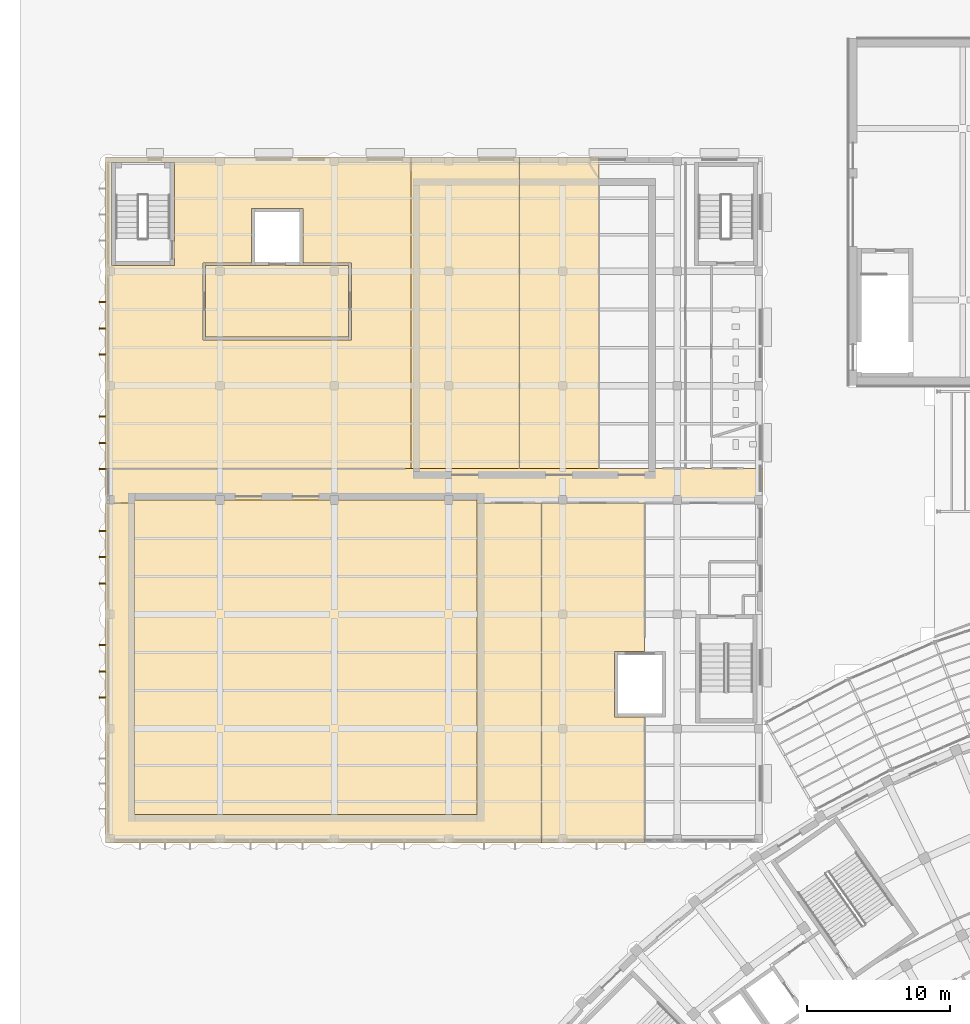
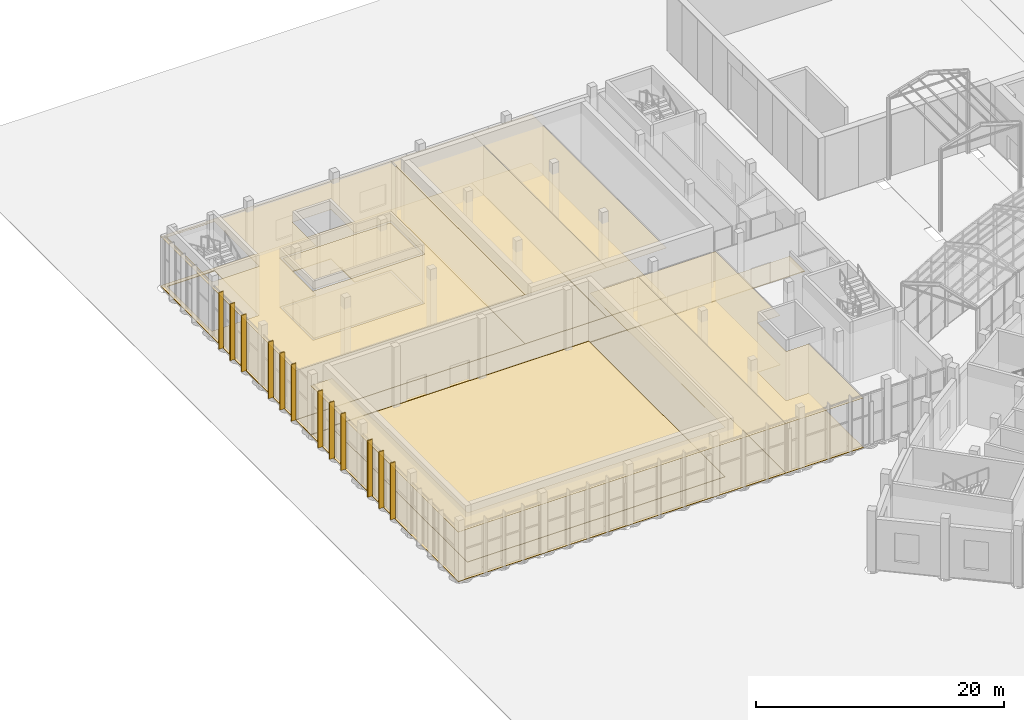
# One storey, part 127 of 155: 14 coverings, 12 shading devices.
"""IFC4 building model written with IfcOpenShell, lengths in metres."""

from ifc_helpers import new_model, si_unit, direction, frame, origin, origin_2d, place, context, subcontext, project, spatial, polyline, rectangle, outline, extrude, material, layer, layer_set, type_object, element, save


model = new_model("IFC4")

# Units and contexts
model_context = context("Model", 3, precision=1e-05, world=origin(), true_north=direction((0.0, 1.0)))
body_context = subcontext(model_context, "Body", "Model", "MODEL_VIEW")
ifc_project = project(units=[si_unit("LENGTHUNIT", "METRE"), si_unit("AREAUNIT", "SQUARE_METRE"), si_unit("VOLUMEUNIT", "CUBIC_METRE"), si_unit("PLANEANGLEUNIT", "RADIAN"), si_unit("MASSUNIT", "GRAM", prefix="KILO")], contexts=[model_context])

# Site, building, storey
site_placement = place(None, origin())
site = spatial("IfcSite", under=ifc_project, at=site_placement, CompositionType="ELEMENT")
building_placement = place(site_placement, origin())
building = spatial("IfcBuilding", under=site, at=building_placement, Name="Lunette Opera House", CompositionType="ELEMENT")
storey_placement = place(building_placement, origin())
storey = spatial("IfcBuildingStorey", under=building, at=storey_placement, Name="L00", CompositionType="ELEMENT", Elevation=0.0)

# Covering
ifc_material_1 = material(Name="Cement screed")
ifc_layer_1 = layer(ifc_material_1, 0.070068359375)
ifc_layer_set_1 = layer_set([ifc_layer_1], Name="Cement screed")
covering_type_1 = type_object("IfcCoveringType", Name="SCREED FLOOR FINISH 70", PredefinedType="FLOORING", material=ifc_layer_set_1)
covering_1_placement = place(storey_placement, origin())
element("IfcCovering", 1, at=covering_1_placement, inside=storey, type_object=covering_type_1, Name="Floor finish Corridor L00 Rehearsal", PredefinedType="FLOORING", context=body_context, shape_type="SweptSolid", body=[
    extrude(outline(polyline([(8.0, 90.199951171875), (54.0, 90.199951171875), (54.0, 87.800048828125), (34.0, 87.800048828125), (34.0, 88.0), (10.0, 88.0), (10.0, 87.800048828125), (8.0, 87.800048828125), (8.0, 90.199951171875)])), origin(), (0.0, 0.0, 1.0), 0.070068359375),
])

# Shading devices
ifc_material_2 = material(Name="Powder-coated aluminium", Category="aluminium")
shading_device_type = type_object("IfcShadingDeviceType", Name="SOLAR FIN 100 X 450", PredefinedType="USERDEFINED", material=ifc_material_2)
for number, where, z_axis, x_axis, name in (
    (2, (7.76708984375, 101.85498046875, 0.114501953125), (0.0, 0.0, 1.0), (-1.0, 0.0, 0.0), "Solar fin RW-X2002 1"),
    (3, (7.76708984375, 100.012939453125, 0.114501953125), (0.0, 0.0, 1.0), (-1.0, 0.0, 0.0), "Solar fin RW-X2002 2"),
    (4, (7.76708984375, 98.1708984375, 0.114501953125), (0.0, 0.0, 1.0), (-1.0, 0.0, 0.0), "Solar fin RW-X2002 3"),
    (5, (7.76708984375, 93.8349609375, 0.114501953125), (0.0, 0.0, 1.0), (-1.0, 0.0, 0.0), "Solar fin RW-X2003 1"),
    (6, (7.76708984375, 92.0, 0.114501953125), (0.0, 0.0, 1.0), (-1.0, 0.0, 0.0), "Solar fin RW-X2003 2"),
    (7, (7.76708984375, 90.1650390625, 0.114501953125), (0.0, 0.0, 1.0), (-1.0, 0.0, 0.0), "Solar fin RW-X2003 3"),
    (8, (7.76708984375, 85.8349609375, 0.114501953125), (0.0, 0.0, 1.0), (-1.0, 0.0, 0.0), "Solar fin RW-X2004 1"),
    (9, (7.76708984375, 84.0, 0.114501953125), (0.0, 0.0, 1.0), (-1.0, 0.0, 0.0), "Solar fin RW-X2004 2"),
    (10, (7.76708984375, 82.1650390625, 0.114501953125), (0.0, 0.0, 1.0), (-1.0, 0.0, 0.0), "Solar fin RW-X2004 3"),
    (11, (7.76708984375, 77.8349609375, 0.114501953125), (0.0, 0.0, 1.0), (-1.0, 0.0, 0.0), "Solar fin RW-X2005 1"),
    (12, (7.76708984375, 76.0, 0.114501953125), (0.0, 0.0, 1.0), (-1.0, 0.0, 0.0), "Solar fin RW-X2005 2"),
    (13, (7.76708984375, 74.1650390625, 0.114501953125), (0.0, 0.0, 1.0), (-1.0, 0.0, 0.0), "Solar fin RW-X2005 3"),
):
    element("IfcShadingDevice", number, at=place(storey_placement, frame(where, z_axis=z_axis, x_axis=x_axis)), inside=storey, type_object=shading_device_type, Name=name, ObjectType="SOLAR FIN", PredefinedType="USERDEFINED", context=body_context, shape_type="SweptSolid", body=[
        extrude(rectangle(XDim=0.449951171875, YDim=0.10009765625, at=origin_2d()), origin(), (0.0, 0.0, 1.0), 5.5849609375),
    ])

# Coverings
ifc_material_3 = material(Name="Mineral fibre board")
ifc_layer_2 = layer(ifc_material_3, 0.014892578125)
ifc_layer_set_2 = layer_set([ifc_layer_2], Name="Mineral fibre board")
covering_type_2 = type_object("IfcCoveringType", Name="SUSPENDED ACOUSTIC CEILING 15", PredefinedType="CEILING", material=ifc_layer_set_2)
covering_2_placement = place(storey_placement, frame((0.0, 0.0, 4.885009765625)))
element("IfcCovering", 14, at=covering_2_placement, inside=storey, type_object=covering_type_2, Name="Ceiling Lift Lobby L00 Rehearsal", PredefinedType="CEILING", context=body_context, shape_type="SweptSolid", body=[
    extrude(outline(polyline([(25.0, 99.39990234375), (25.0, 104.39990234375), (15.0, 104.39990234375), (15.0, 99.39990234375), (25.0, 99.39990234375)])), origin(), (0.0, 0.0, 1.0), 0.014892578125),
])
covering_3_placement = place(storey_placement, frame((0.0, 0.0, 4.885009765625)))
element("IfcCovering", 15, at=covering_3_placement, inside=storey, type_object=covering_type_2, Name="Ceiling Orchestra Rehearsal Hall", PredefinedType="CEILING", context=body_context, shape_type="SweptSolid", body=[
    extrude(outline(polyline([(8.0, 112.0), (29.35888671875, 112.0), (29.35888671875, 90.199951171875), (8.0, 90.199951171875), (8.0, 112.0)]), holes=[polyline([(14.800048828125, 99.199951171875), (25.199951171875, 99.199951171875), (25.199951171875, 104.60009765625), (21.800048828125, 104.60009765625), (21.800048828125, 108.39990234375), (18.199951171875, 108.39990234375), (18.199951171875, 104.60009765625), (14.800048828125, 104.60009765625), (14.800048828125, 99.199951171875)]), polyline([(8.39990234375, 104.39990234375), (12.800048828125, 104.39990234375), (12.800048828125, 111.635009765625), (8.39990234375, 111.635009765625), (8.39990234375, 104.39990234375)])]), origin(), (0.0, 0.0, 1.0), 0.014892578125),
])
covering_4_placement = place(storey_placement, frame((0.0, 0.0, 4.885009765625)))
element("IfcCovering", 16, at=covering_4_placement, inside=storey, type_object=covering_type_2, Name="Ceiling Chorus Rehearsal Room", PredefinedType="CEILING", context=body_context, shape_type="SweptSolid", body=[
    extrude(outline(polyline([(29.35888671875, 90.199951171875), (29.35888671875, 112.0), (36.947998046875, 112.0), (36.947998046875, 90.199951171875), (29.35888671875, 90.199951171875)])), origin(), (0.0, 0.0, 1.0), 0.014892578125),
])
covering_5_placement = place(storey_placement, frame((0.0, 0.0, 4.885009765625)))
element("IfcCovering", 17, at=covering_5_placement, inside=storey, type_object=covering_type_2, Name="Ceiling Rehearsal Foyer", PredefinedType="CEILING", context=body_context, shape_type="SweptSolid", body=[
    extrude(outline(polyline([(36.947998046875, 90.199951171875), (36.947998046875, 112.0), (42.512939453125, 112.0), (42.512939453125, 90.199951171875), (36.947998046875, 90.199951171875)])), origin(), (0.0, 0.0, 1.0), 0.014892578125),
])
covering_6_placement = place(storey_placement, frame((0.0, 0.0, 4.885009765625)))
element("IfcCovering", 18, at=covering_6_placement, inside=storey, type_object=covering_type_2, Name="Ceiling Ballet Studio 1", PredefinedType="CEILING", context=body_context, shape_type="SweptSolid", body=[
    extrude(outline(polyline([(8.0, 87.800048828125), (10.0, 87.800048828125), (10.0, 66.0), (34.0, 66.0), (34.0, 87.800048828125), (38.498046875, 87.800048828125), (38.498046875, 64.0), (8.0, 64.0), (8.0, 87.800048828125)])), origin(), (0.0, 0.0, 1.0), 0.014892578125),
])
covering_7_placement = place(storey_placement, frame((0.0, 0.0, 4.885009765625)))
element("IfcCovering", 19, at=covering_7_placement, inside=storey, type_object=covering_type_2, Name="Ceiling Principals' Dressing Rooms", PredefinedType="CEILING", context=body_context, shape_type="SweptSolid", body=[
    extrude(outline(polyline([(38.498046875, 64.0), (38.498046875, 87.800048828125), (45.718994140625, 87.800048828125), (45.718994140625, 77.39990234375), (43.60009765625, 77.39990234375), (43.60009765625, 72.800048828125), (45.718994140625, 72.800048828125), (45.718994140625, 64.0), (38.498046875, 64.0)])), origin(), (0.0, 0.0, 1.0), 0.014892578125),
])
ifc_material_4 = material(Name="Terrazzo")
ifc_layer_3 = layer(ifc_material_4, 0.06005859375)
ifc_layer_set_3 = layer_set([ifc_layer_3], Name="Terrazzo")
covering_type_3 = type_object("IfcCoveringType", Name="TERRAZZO FLOOR FINISH 60", PredefinedType="FLOORING", material=ifc_layer_set_3)
covering_8_placement = place(storey_placement, origin())
element("IfcCovering", 20, at=covering_8_placement, inside=storey, type_object=covering_type_3, Name="Floor finish Lift Lobby L00 Rehearsal", PredefinedType="FLOORING", context=body_context, shape_type="SweptSolid", body=[
    extrude(outline(polyline([(25.0, 99.39990234375), (25.0, 104.39990234375), (15.0, 104.39990234375), (15.0, 99.39990234375), (25.0, 99.39990234375)])), origin(), (0.0, 0.0, 1.0), 0.06005859375),
])
covering_9_placement = place(storey_placement, origin())
element("IfcCovering", 21, at=covering_9_placement, inside=storey, type_object=covering_type_3, Name="Floor finish Orchestra Rehearsal Hall", PredefinedType="FLOORING", context=body_context, shape_type="SweptSolid", body=[
    extrude(outline(polyline([(8.0, 112.0), (29.35888671875, 112.0), (29.35888671875, 90.199951171875), (8.0, 90.199951171875), (8.0, 112.0)]), holes=[polyline([(14.800048828125, 99.199951171875), (25.199951171875, 99.199951171875), (25.199951171875, 104.60009765625), (21.800048828125, 104.60009765625), (21.800048828125, 108.39990234375), (18.199951171875, 108.39990234375), (18.199951171875, 104.60009765625), (14.800048828125, 104.60009765625), (14.800048828125, 99.199951171875)]), polyline([(8.39990234375, 104.39990234375), (12.800048828125, 104.39990234375), (12.800048828125, 111.635009765625), (8.39990234375, 111.635009765625), (8.39990234375, 104.39990234375)])]), origin(), (0.0, 0.0, 1.0), 0.06005859375),
])
covering_10_placement = place(storey_placement, origin())
element("IfcCovering", 22, at=covering_10_placement, inside=storey, type_object=covering_type_3, Name="Floor finish Rehearsal Foyer", PredefinedType="FLOORING", context=body_context, shape_type="SweptSolid", body=[
    extrude(outline(polyline([(36.947998046875, 90.199951171875), (36.947998046875, 112.0), (42.512939453125, 112.0), (42.512939453125, 90.199951171875), (36.947998046875, 90.199951171875)])), origin(), (0.0, 0.0, 1.0), 0.06005859375),
])
ifc_material_5 = material(Name="Timber", Category="wood")
ifc_layer_4 = layer(ifc_material_5, 0.0400390625)
ifc_layer_set_4 = layer_set([ifc_layer_4], Name="Timber")
covering_type_4 = type_object("IfcCoveringType", Name="TIMBER FLOOR FINISH 40", PredefinedType="FLOORING", material=ifc_layer_set_4)
covering_11_placement = place(storey_placement, origin())
element("IfcCovering", 23, at=covering_11_placement, inside=storey, type_object=covering_type_4, Name="Floor finish Rehearsal Stage", PredefinedType="FLOORING", context=body_context, shape_type="SweptSolid", body=[
    extrude(outline(polyline([(34.0, 66.0), (34.0, 88.0), (10.0, 88.0), (10.0, 66.0), (34.0, 66.0)])), origin(), (0.0, 0.0, 1.0), 0.0400390625),
])
covering_12_placement = place(storey_placement, origin())
element("IfcCovering", 24, at=covering_12_placement, inside=storey, type_object=covering_type_4, Name="Floor finish Chorus Rehearsal Room", PredefinedType="FLOORING", context=body_context, shape_type="SweptSolid", body=[
    extrude(outline(polyline([(29.35888671875, 90.199951171875), (29.35888671875, 112.0), (36.947998046875, 112.0), (36.947998046875, 90.199951171875), (29.35888671875, 90.199951171875)])), origin(), (0.0, 0.0, 1.0), 0.0400390625),
])
covering_13_placement = place(storey_placement, origin())
element("IfcCovering", 25, at=covering_13_placement, inside=storey, type_object=covering_type_4, Name="Floor finish Ballet Studio 1", PredefinedType="FLOORING", context=body_context, shape_type="SweptSolid", body=[
    extrude(outline(polyline([(8.0, 87.800048828125), (10.0, 87.800048828125), (10.0, 66.0), (34.0, 66.0), (34.0, 87.800048828125), (38.498046875, 87.800048828125), (38.498046875, 64.0), (8.0, 64.0), (8.0, 87.800048828125)])), origin(), (0.0, 0.0, 1.0), 0.0400390625),
])
covering_14_placement = place(storey_placement, origin())
element("IfcCovering", 26, at=covering_14_placement, inside=storey, type_object=covering_type_4, Name="Floor finish Principals' Dressing Rooms", PredefinedType="FLOORING", context=body_context, shape_type="SweptSolid", body=[
    extrude(outline(polyline([(38.498046875, 64.0), (38.498046875, 87.800048828125), (45.718994140625, 87.800048828125), (45.718994140625, 77.39990234375), (43.60009765625, 77.39990234375), (43.60009765625, 72.800048828125), (45.718994140625, 72.800048828125), (45.718994140625, 64.0), (38.498046875, 64.0)])), origin(), (0.0, 0.0, 1.0), 0.0400390625),
])

save(model, "model.ifc")
